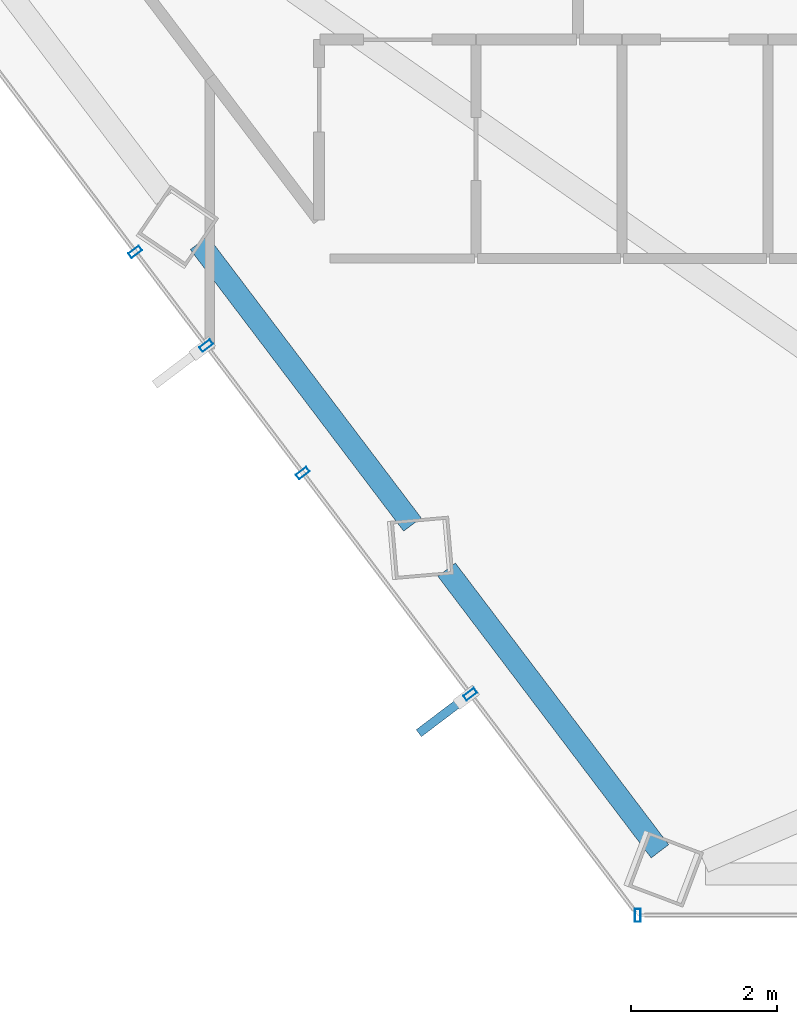
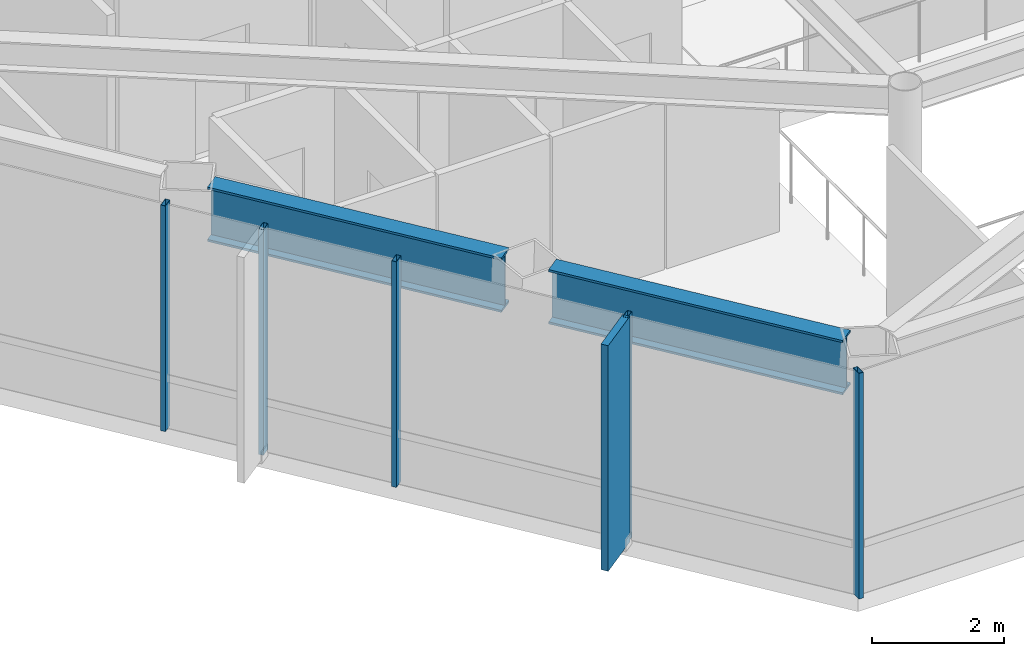
# One storey, part 2 of 25: 6 members, 2 beams, 2 elements without a shape of their own.
"""IFC4 building model written with IfcOpenShell, lengths in metres."""

from ifc_helpers import new_model, si_unit, direction, frame, origin, origin_2d, place, context, subcontext, project, spatial, rectangle, hollow_rectangle, i_section, extrude, material, layer, layer_set, material_profile, profile_set, type_object, element, aggregate, save


model = new_model("IFC4")

# Units and contexts
model_context = context("Model", 3, precision=1e-05, world=origin(), true_north=direction((0.0, 1.0)))
body_context = subcontext(model_context, "Body", "Model", "MODEL_VIEW")
ifc_project = project(units=[si_unit("LENGTHUNIT", "METRE"), si_unit("AREAUNIT", "SQUARE_METRE"), si_unit("VOLUMEUNIT", "CUBIC_METRE"), si_unit("PLANEANGLEUNIT", "RADIAN"), si_unit("MASSUNIT", "GRAM", prefix="KILO")], contexts=[model_context])

# Site, building, storey
site_placement = place(None, origin())
site = spatial("IfcSite", under=ifc_project, at=site_placement, CompositionType="ELEMENT")
building_placement = place(site_placement, origin())
building = spatial("IfcBuilding", under=site, at=building_placement, Name="Zarrinselat Tower", CompositionType="ELEMENT")
storey_placement = place(building_placement, frame((0.0, 0.0, 119.0)))
storey = spatial("IfcBuildingStorey", under=building, at=storey_placement, Name="L28", CompositionType="ELEMENT", Elevation=119.0)

# Beams
ifc_material_1 = material(Name="Steel S460M", Category="steel")
ifc_material_profile_1 = material_profile(ifc_material_1, i_section(OverallWidth=0.302001953125, OverallDepth=1.008056640625, WebThickness=0.02099609375, FlangeThickness=0.0400390625, at=origin_2d()), Name="HEM 1000")
ifc_profile_set_1 = profile_set([ifc_material_profile_1], Name="Steel S460M")
beam_type = type_object("IfcBeamType", Name="BM-HEM1000", PredefinedType="BEAM", material=ifc_profile_set_1)
beam_1_placement = place(storey_placement, frame((23.354248046875, 27.36328125, 3.676025390625), z_axis=(0.603873219646, -0.797080381514, 0.0), x_axis=(0.797080381514, 0.603873219646, 0.0)))
element("IfcBeam", 1, at=beam_1_placement, inside=storey, type_object=beam_type, Name="L28 Perimeter Spandrel Girder SP08", PredefinedType="BEAM", context=body_context, shape_type="SweptSolid", body=[
    extrude(i_section(OverallWidth=0.302001953125, OverallDepth=1.008056640625, WebThickness=0.02099609375, FlangeThickness=0.0400390625, at=origin_2d()), origin(), (0.0, 0.0, 1.0), 4.84228515625),
])
beam_2_placement = place(storey_placement, frame((26.746826171875, 22.885009765625, 3.676025390625), z_axis=(0.603897488991, -0.79706199432, 0.0), x_axis=(0.79706199432, 0.603897488991, 0.0)))
element("IfcBeam", 2, at=beam_2_placement, inside=storey, type_object=beam_type, Name="L28 Perimeter Spandrel Girder SP09", PredefinedType="BEAM", context=body_context, shape_type="SweptSolid", body=[
    extrude(i_section(OverallWidth=0.302001953125, OverallDepth=1.008056640625, WebThickness=0.02099609375, FlangeThickness=0.0400390625, at=origin_2d()), origin(), (0.0, 0.0, 1.0), 4.842041015625),
])

# Curtain wall, member
ifc_material_2 = material(Name="Extruded Aluminium Alloy EN AW-6063 T6", Category="aluminium")
ifc_layer = layer(ifc_material_2, 0.195068359375)
ifc_layer_set = layer_set([ifc_layer], Name="Extruded Aluminium Alloy EN AW-6063 T6")
curtain_wall_type = type_object("IfcCurtainWallType", Name="CWS-GDN", PredefinedType="NOTDEFINED", material=ifc_layer_set)
curtain_wall_1_placement = place(storey_placement, origin())
curtain_wall_1 = element("IfcCurtainWall", 3, at=curtain_wall_1_placement, inside=storey, type_object=curtain_wall_type, Name="L28 Unitised Curtain Wall CW-L28-E01", PredefinedType="NOTDEFINED")
ifc_material_3 = material(Name="Extruded Aluminium Alloy EN AW-6063 T6", Category="aluminium")
ifc_material_profile_2 = material_profile(ifc_material_3, hollow_rectangle(XDim=0.080078125, YDim=0.179931640625, WallThickness=0.0048828125, at=origin_2d()), Name="RHS 180x80x5")
ifc_profile_set_2 = profile_set([ifc_material_profile_2], Name="Extruded Aluminium Alloy EN AW-6063 T6")
member_type_1 = type_object("IfcMemberType", Name="MEM-CW-MUL", PredefinedType="MULLION", material=ifc_profile_set_2)
member_1_placement = place(storey_placement, frame((29.36767578125, 18.147216796875, 0.0), z_axis=(0.0, 0.0, 1.0), x_axis=(-1.0, 0.0, 0.0)))
member_1 = element("IfcMember", 4, at=member_1_placement, type_object=member_type_1, Name="CW-L28-E01 Mullion 5", PredefinedType="MULLION", context=body_context, shape_type="SweptSolid", body=[
    extrude(hollow_rectangle(XDim=0.080078125, YDim=0.179931640625, WallThickness=0.0048828125, at=origin_2d()), origin(), (0.0, 0.0, 1.0), 4.179931640625),
])
aggregate(curtain_wall_1, [member_1])

# Curtain wall, members
curtain_wall_2_placement = place(storey_placement, origin())
curtain_wall_2 = element("IfcCurtainWall", 5, at=curtain_wall_2_placement, inside=storey, type_object=curtain_wall_type, Name="L28 Unitised Curtain Wall CW-L28-E02", PredefinedType="NOTDEFINED")
member_2_placement = place(storey_placement, frame((27.0712890625, 21.178466796875, 0.0), z_axis=(0.0, 0.0, 1.0), x_axis=(-0.603858025511, 0.79709189246, 0.0)))
member_2 = element("IfcMember", 6, at=member_2_placement, type_object=member_type_1, Name="CW-L28-E02 Mullion 1", PredefinedType="MULLION", context=body_context, shape_type="SweptSolid", body=[
    extrude(hollow_rectangle(XDim=0.080078125, YDim=0.179931640625, WallThickness=0.0048828125, at=origin_2d()), origin(), (0.0, 0.0, 1.0), 4.179931640625),
])
member_3_placement = place(storey_placement, frame((24.77490234375, 24.209716796875, 0.0), z_axis=(0.0, 0.0, 1.0), x_axis=(-0.603858025511, 0.79709189246, 0.0)))
member_3 = element("IfcMember", 7, at=member_3_placement, type_object=member_type_1, Name="CW-L28-E02 Mullion 2", PredefinedType="MULLION", context=body_context, shape_type="SweptSolid", body=[
    extrude(hollow_rectangle(XDim=0.080078125, YDim=0.179931640625, WallThickness=0.0048828125, at=origin_2d()), origin(), (0.0, 0.0, 1.0), 4.179931640625),
])
member_4_placement = place(storey_placement, frame((23.4521484375, 25.95556640625, 0.0), z_axis=(0.0, 0.0, 1.0), x_axis=(-0.603858025511, 0.79709189246, 0.0)))
member_4 = element("IfcMember", 8, at=member_4_placement, type_object=member_type_1, Name="CW-L28-E02 Mullion 3", PredefinedType="MULLION", context=body_context, shape_type="SweptSolid", body=[
    extrude(hollow_rectangle(XDim=0.080078125, YDim=0.179931640625, WallThickness=0.0048828125, at=origin_2d()), origin(), (0.0, 0.0, 1.0), 4.179931640625),
])
member_5_placement = place(storey_placement, frame((22.478271484375, 27.2412109375, 0.0), z_axis=(0.0, 0.0, 1.0), x_axis=(-0.603858025511, 0.79709189246, 0.0)))
member_5 = element("IfcMember", 9, at=member_5_placement, type_object=member_type_1, Name="CW-L28-E02 Mullion 4", PredefinedType="MULLION", context=body_context, shape_type="SweptSolid", body=[
    extrude(hollow_rectangle(XDim=0.080078125, YDim=0.179931640625, WallThickness=0.0048828125, at=origin_2d()), origin(), (0.0, 0.0, 1.0), 4.179931640625),
])
ifc_material_4 = material(Name="Honed Cream Travertine Stone", Category="masonry")
ifc_material_profile_3 = material_profile(ifc_material_4, rectangle(XDim=0.1201171875, YDim=0.85009765625, at=origin_2d()), Name="FIN 850x120")
ifc_profile_set_3 = profile_set([ifc_material_profile_3], Name="Honed Cream Travertine Stone")
member_type_2 = type_object("IfcMemberType", Name="MEM-STONE-FIN", PredefinedType="USERDEFINED", material=ifc_profile_set_3)
member_6_placement = place(storey_placement, frame((26.70458984375, 20.900634765625, 0.0), z_axis=(0.0, 0.0, 1.0), x_axis=(-0.603858025511, 0.79709189246, 0.0)))
member_6 = element("IfcMember", 10, at=member_6_placement, type_object=member_type_2, Name="L28 Stone Shading Fin CW-L28-E02-01", ObjectType="FIN", PredefinedType="USERDEFINED", context=body_context, shape_type="SweptSolid", body=[
    extrude(rectangle(XDim=0.1201171875, YDim=0.85009765625, at=origin_2d()), origin(), (0.0, 0.0, 1.0), 4.179931640625),
])
aggregate(curtain_wall_2, [member_2, member_6, member_3, member_4, member_5])

save(model, "model.ifc")
